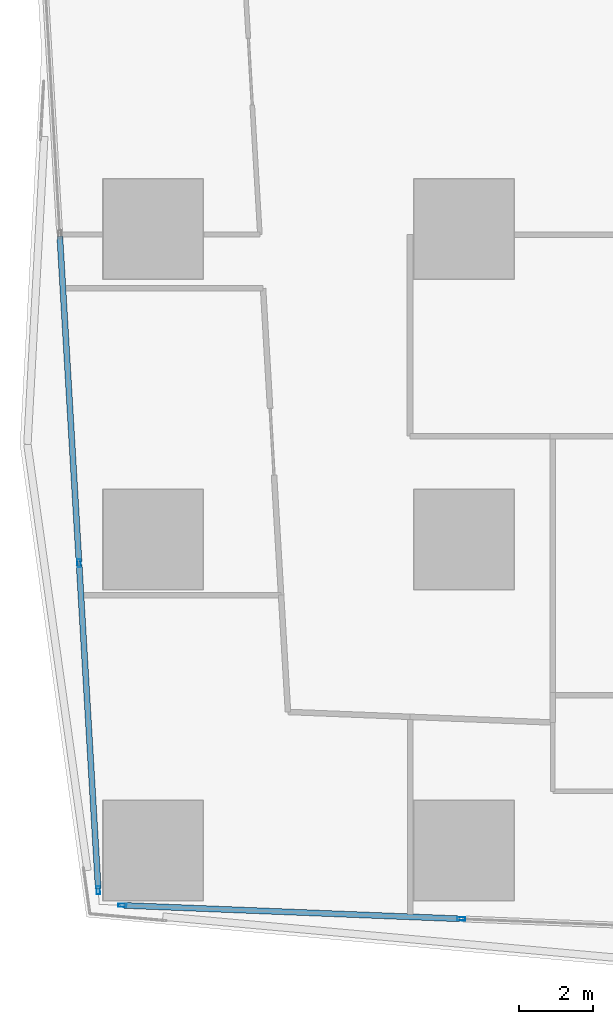
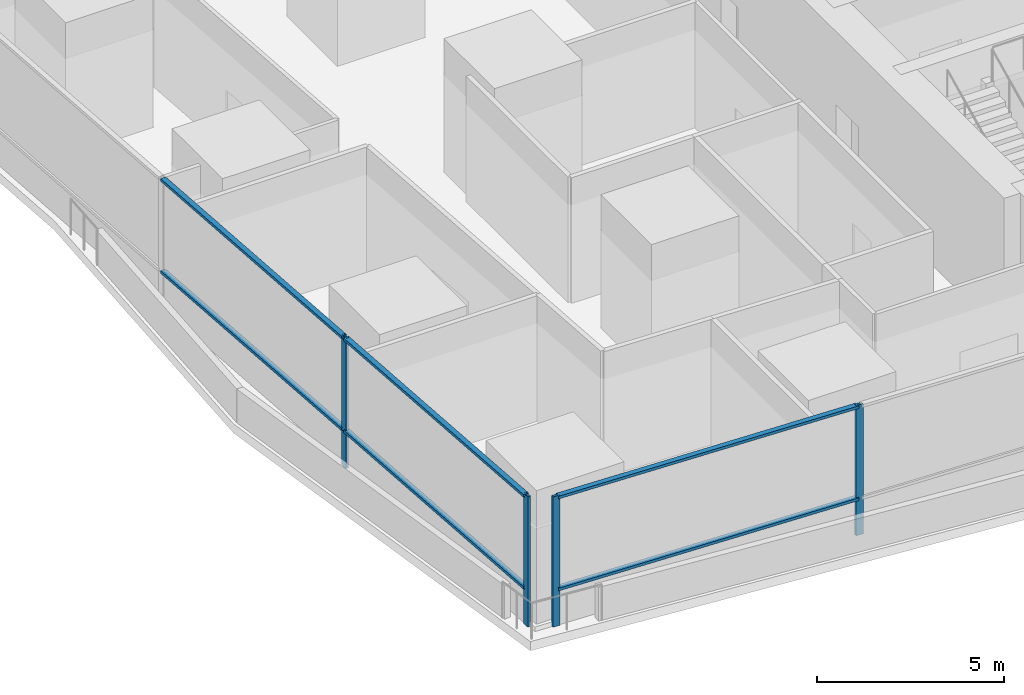
# One storey, part 2 of 39: 10 members, 2 elements without a shape of their own.
"""IFC4 building model written with IfcOpenShell, lengths in metres."""

from ifc_helpers import new_model, si_unit, direction, frame, origin, origin_2d, place, context, subcontext, project, spatial, hollow_rectangle, extrude, material, material_profile, profile_set, type_object, element, aggregate, save


model = new_model("IFC4")

# Units and contexts
model_context = context("Model", 3, precision=1e-05, world=origin(), true_north=direction((0.0, 1.0)))
body_context = subcontext(model_context, "Body", "Model", "MODEL_VIEW")
ifc_project = project(units=[si_unit("LENGTHUNIT", "METRE"), si_unit("AREAUNIT", "SQUARE_METRE"), si_unit("VOLUMEUNIT", "CUBIC_METRE"), si_unit("PLANEANGLEUNIT", "RADIAN"), si_unit("MASSUNIT", "GRAM", prefix="KILO")], contexts=[model_context])

# Site, building, storey
site_placement = place(None, origin())
site = spatial("IfcSite", under=ifc_project, at=site_placement, CompositionType="ELEMENT")
building_placement = place(site_placement, origin())
building = spatial("IfcBuilding", under=site, at=building_placement, Name="Rekha Terrace Tower", CompositionType="ELEMENT")
storey_placement = place(building_placement, frame((0.0, 0.0, 168.199951171875)))
storey = spatial("IfcBuildingStorey", under=building, at=storey_placement, Name="L42", CompositionType="ELEMENT", Elevation=168.199951171875)

# Curtain wall, members
ifc_material_1 = material(Name="Aluminium framing", Category="aluminium")
curtain_wall_type = type_object("IfcCurtainWallType", Name="CW5 sky garden glazing", PredefinedType="USERDEFINED", material=ifc_material_1)
curtain_wall_1_placement = place(storey_placement, origin())
curtain_wall_1 = element("IfcCurtainWall", 1, at=curtain_wall_1_placement, inside=storey, type_object=curtain_wall_type, Name="CW5 sky garden curtain wall", ObjectType="SKY GARDEN CURTAIN WALL", PredefinedType="USERDEFINED")
ifc_material_2 = material(Name="Aluminium mullion section", Category="aluminium")
ifc_material_profile_1 = material_profile(ifc_material_2, hollow_rectangle(XDim=0.090087890625, YDim=0.219970703125, WallThickness=0.00390625, at=origin_2d()), Name="AL RHS 90x220")
ifc_profile_set_1 = profile_set([ifc_material_profile_1], Name="Aluminium mullion section")
member_type_1 = type_object("IfcMemberType", Name="CW5 mullion RHS 90 x 220", PredefinedType="MULLION", material=ifc_profile_set_1)
member_1_placement = place(storey_placement, frame((7.568115234375, 15.317626953125, 0.0), z_axis=(0.0, 0.0, 1.0), x_axis=(0.039872497044, 0.999204775799, 0.0)))
member_1 = element("IfcMember", 2, at=member_1_placement, type_object=member_type_1, Name="CW5 mullion 1", PredefinedType="MULLION", context=body_context, shape_type="SweptSolid", body=[
    extrude(hollow_rectangle(XDim=0.090087890625, YDim=0.219970703125, WallThickness=0.00390625, at=origin_2d()), origin(), (0.0, 0.0, 1.0), 4.25),
])
member_2_placement = place(storey_placement, frame((16.72607421875, 14.9521484375, 0.0), z_axis=(0.0, 0.0, 1.0), x_axis=(0.039872497044, 0.999204775799, 0.0)))
member_2 = element("IfcMember", 3, at=member_2_placement, type_object=member_type_1, Name="CW5 mullion 2", PredefinedType="MULLION", context=body_context, shape_type="SweptSolid", body=[
    extrude(hollow_rectangle(XDim=0.090087890625, YDim=0.219970703125, WallThickness=0.00390625, at=origin_2d()), origin(), (0.0, 0.0, 1.0), 4.25),
])

curtain_wall_2_placement = place(storey_placement, origin())
curtain_wall_2 = element("IfcCurtainWall", 4, at=curtain_wall_2_placement, inside=storey, type_object=curtain_wall_type, Name="CW5 sky garden curtain wall", ObjectType="SKY GARDEN CURTAIN WALL", PredefinedType="USERDEFINED")
member_3_placement = place(storey_placement, frame((6.396240234375, 24.5634765625, 0.0), z_axis=(0.0, 0.0, 1.0), x_axis=(0.99827183927, 0.058765082499, 0.0)))
member_3 = element("IfcMember", 5, at=member_3_placement, type_object=member_type_1, Name="CW5 mullion 3", PredefinedType="MULLION", context=body_context, shape_type="SweptSolid", body=[
    extrude(hollow_rectangle(XDim=0.090087890625, YDim=0.219970703125, WallThickness=0.00390625, at=origin_2d()), origin(), (0.0, 0.0, 1.0), 4.25),
])
member_4_placement = place(storey_placement, frame((6.91650390625, 15.7265625, 0.0), z_axis=(0.0, 0.0, 1.0), x_axis=(0.99827183927, 0.058765082499, 0.0)))
member_4 = element("IfcMember", 6, at=member_4_placement, type_object=member_type_1, Name="CW5 mullion 4", PredefinedType="MULLION", context=body_context, shape_type="SweptSolid", body=[
    extrude(hollow_rectangle(XDim=0.090087890625, YDim=0.219970703125, WallThickness=0.00390625, at=origin_2d()), origin(), (0.0, 0.0, 1.0), 4.25),
])

# Member
ifc_material_3 = material(Name="Aluminium transom section", Category="aluminium")
ifc_material_profile_2 = material_profile(ifc_material_3, hollow_rectangle(XDim=0.159912109375, YDim=0.090087890625, WallThickness=0.0029296875, at=origin_2d()), Name="AL RHS 160x90")
ifc_profile_set_2 = profile_set([ifc_material_profile_2], Name="Aluminium transom section")
member_type_2 = type_object("IfcMemberType", Name="CW5 transom RHS 90 x 160", PredefinedType="USERDEFINED", material=ifc_profile_set_2)
member_5_placement = place(storey_placement, frame((7.613037109375, 15.315673828125, 1.199951171875), z_axis=(0.999204950285, -0.039868124177, 0.0), x_axis=(0.039868124177, 0.999204950285, 0.0)))
member_5 = element("IfcMember", 7, at=member_5_placement, type_object=member_type_2, Name="CW5 transom 1.2", ObjectType="TRANSOM", PredefinedType="USERDEFINED", context=body_context, shape_type="SweptSolid", body=[
    extrude(hollow_rectangle(XDim=0.159912109375, YDim=0.090087890625, WallThickness=0.0029296875, at=origin_2d()), origin(), (0.0, 0.0, 1.0), 9.075439453125),
])

member_6_placement = place(storey_placement, frame((7.613037109375, 15.315673828125, 4.205078125), z_axis=(0.999204950285, -0.039868124177, 0.0), x_axis=(0.039868124177, 0.999204950285, 0.0)))
member_6 = element("IfcMember", 8, at=member_6_placement, type_object=member_type_2, Name="CW5 transom 1.3", ObjectType="TRANSOM", PredefinedType="USERDEFINED", context=body_context, shape_type="SweptSolid", body=[
    extrude(hollow_rectangle(XDim=0.159912109375, YDim=0.090087890625, WallThickness=0.0029296875, at=origin_2d()), origin(), (0.0, 0.0, 1.0), 9.075439453125),
])

aggregate(curtain_wall_1, [member_1, member_2, member_5, member_6])

member_7_placement = place(storey_placement, frame((5.8759765625, 33.400390625, 1.199951171875), z_axis=(0.058767521793, -0.998271695673, 0.0), x_axis=(0.998271695673, 0.058767521793, 0.0)))
member_7 = element("IfcMember", 9, at=member_7_placement, type_object=member_type_2, Name="CW5 transom 2.2", ObjectType="TRANSOM", PredefinedType="USERDEFINED", context=body_context, shape_type="SweptSolid", body=[
    extrude(hollow_rectangle(XDim=0.159912109375, YDim=0.090087890625, WallThickness=0.0029296875, at=origin_2d()), origin(), (0.0, 0.0, 1.0), 8.80712890625),
])

member_8_placement = place(storey_placement, frame((5.8759765625, 33.400390625, 4.205078125), z_axis=(0.058767521793, -0.998271695673, 0.0), x_axis=(0.998271695673, 0.058767521793, 0.0)))
member_8 = element("IfcMember", 10, at=member_8_placement, type_object=member_type_2, Name="CW5 transom 2.3", ObjectType="TRANSOM", PredefinedType="USERDEFINED", context=body_context, shape_type="SweptSolid", body=[
    extrude(hollow_rectangle(XDim=0.159912109375, YDim=0.090087890625, WallThickness=0.0029296875, at=origin_2d()), origin(), (0.0, 0.0, 1.0), 8.80712890625),
])

member_9_placement = place(storey_placement, frame((6.39892578125, 24.5185546875, 1.199951171875), z_axis=(0.058762855462, -0.998271970366, 0.0), x_axis=(0.998271970366, 0.058762855462, 0.0)))
member_9 = element("IfcMember", 11, at=member_9_placement, type_object=member_type_2, Name="CW5 transom 3.2", ObjectType="TRANSOM", PredefinedType="USERDEFINED", context=body_context, shape_type="SweptSolid", body=[
    extrude(hollow_rectangle(XDim=0.159912109375, YDim=0.090087890625, WallThickness=0.0029296875, at=origin_2d()), origin(), (0.0, 0.0, 1.0), 8.76220703125),
])

member_10_placement = place(storey_placement, frame((6.39892578125, 24.5185546875, 4.205078125), z_axis=(0.058762855462, -0.998271970366, 0.0), x_axis=(0.998271970366, 0.058762855462, 0.0)))
member_10 = element("IfcMember", 12, at=member_10_placement, type_object=member_type_2, Name="CW5 transom 3.3", ObjectType="TRANSOM", PredefinedType="USERDEFINED", context=body_context, shape_type="SweptSolid", body=[
    extrude(hollow_rectangle(XDim=0.159912109375, YDim=0.090087890625, WallThickness=0.0029296875, at=origin_2d()), origin(), (0.0, 0.0, 1.0), 8.76220703125),
])

aggregate(curtain_wall_2, [member_3, member_4, member_7, member_8, member_9, member_10])

save(model, "model.ifc")
